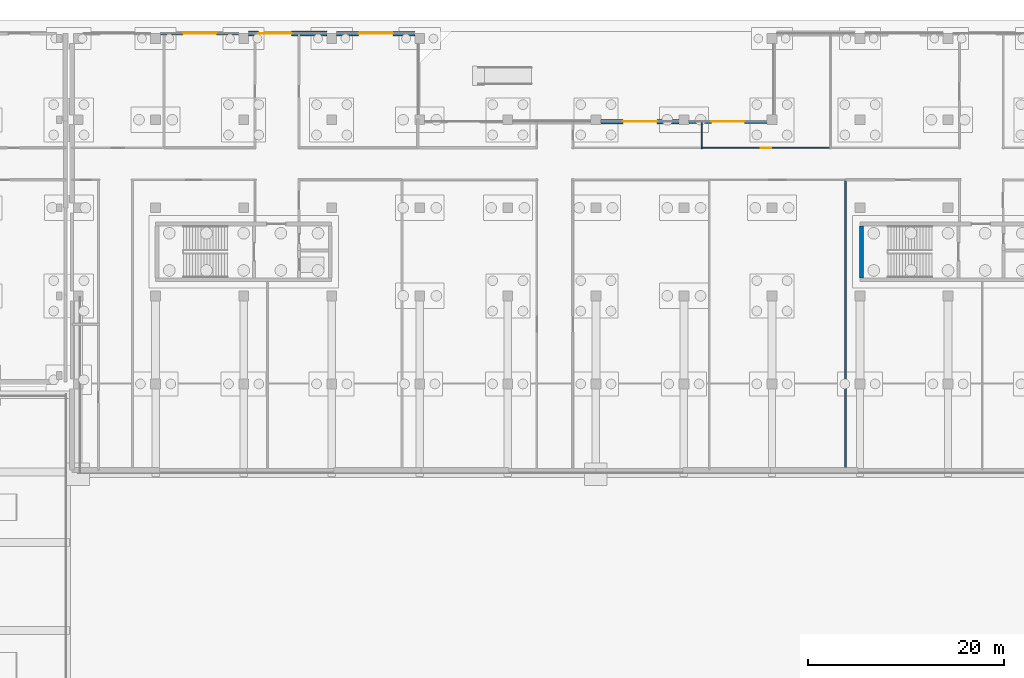
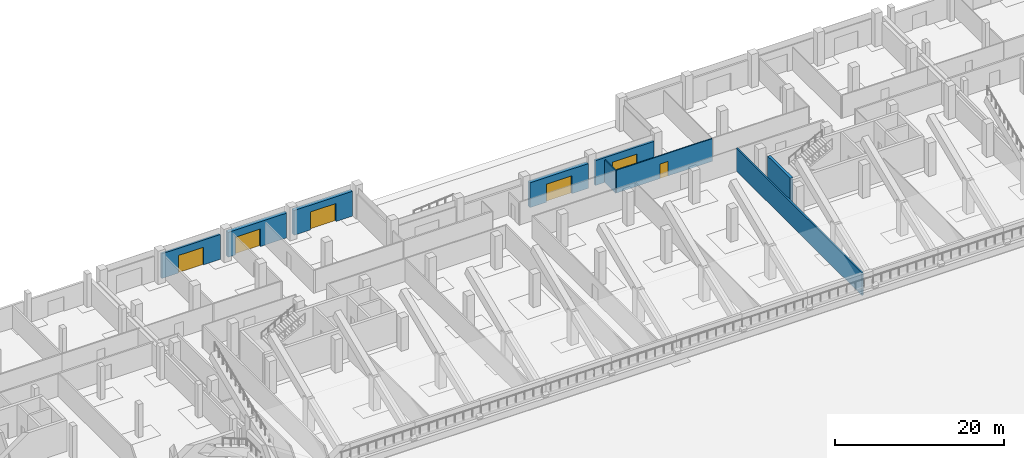
# One storey, part 36 of 53: 9 walls, 6 doors, 6 openings.
"""IFC4 building model written with IfcOpenShell, lengths in metres."""

from ifc_helpers import new_model, si_unit, direction, frame, frame_2d, origin, place, context, subcontext, project, spatial, rectangle, extrude, material, layer, layer_set, type_object, element, fill, save


model = new_model("IFC4")

# Units and contexts
model_context = context("Model", 3, precision=1e-05, world=origin(), true_north=direction((0.0, 1.0)))
body_context = subcontext(model_context, "Body", "Model", "MODEL_VIEW")
ifc_project = project(units=[si_unit("LENGTHUNIT", "METRE"), si_unit("AREAUNIT", "SQUARE_METRE"), si_unit("VOLUMEUNIT", "CUBIC_METRE"), si_unit("PLANEANGLEUNIT", "RADIAN"), si_unit("MASSUNIT", "GRAM", prefix="KILO"), si_unit("THERMODYNAMICTEMPERATUREUNIT", "KELVIN"), si_unit("POWERUNIT", "WATT")], contexts=[model_context])

# Site, building, storey
site_placement = place(None, origin())
site = spatial("IfcSite", under=ifc_project, at=site_placement, CompositionType="ELEMENT")
building_placement = place(site_placement, origin())
building = spatial("IfcBuilding", under=site, at=building_placement, Name="Sindhuravela Promenade Stadium", CompositionType="ELEMENT")
storey_placement = place(building_placement, origin())
storey = spatial("IfcBuildingStorey", under=building, at=storey_placement, Name="L00", CompositionType="ELEMENT", Elevation=0.0)

# Wall, opening, door
ifc_material_1 = material(Name="Dholpur sandstone ashlar (45 MPa)", Category="masonry")
ifc_layer_1 = layer(ifc_material_1, 0.2900390625)
ifc_layer_set_1 = layer_set([ifc_layer_1], Name="Dholpur sandstone ashlar (45 MPa)")
wall_type_1 = type_object("IfcWallType", Name="EX-WL-SND290", PredefinedType="SOLIDWALL", material=ifc_layer_set_1)
wall_1_placement = place(storey_placement, frame((63.5048828125, 161.800048828125, 0.0), z_axis=(0.0, 0.0, 1.0), x_axis=(1.0, 0.0, 0.0)))
wall_1 = element("IfcWall", 1, at=wall_1_placement, inside=storey, type_object=wall_type_1, Name="Exterior masonry wall EW10 NORTH L00", PredefinedType="SOLIDWALL", context=body_context, shape_type="SweptSolid", body=[
    extrude(rectangle(XDim=7.990234375, YDim=0.2900390625, at=frame_2d((3.9951171875, 0.0))), origin(), (0.0, 0.0, 1.0), 3.580078125),
])
opening_1_placement = place(wall_1_placement, frame((2.294921875, 0.0, 0.0)))
opening_1 = element("IfcOpeningElement", 2, at=opening_1_placement, cuts=wall_1, Name="Opening E19", PredefinedType="OPENING", context=body_context, shape_type="SweptSolid", body=[
    extrude(rectangle(XDim=3.39990234375, YDim=2.550048828125, at=frame_2d((1.699951171875, 1.27490234375))), frame((0.0, 0.155029296875, 0.0), z_axis=(0.0, -1.0, 0.0), x_axis=(1.0, 0.0, 0.0)), (0.0, 0.0, 1.0), 0.31005859375),
])
ifc_material_2 = material(Name="Anodised architectural aluminium 6063-T6", Category="aluminium")
door_type_1 = type_object("IfcDoorType", Name="DR-EXIT-3400x2550", OperationType="DOUBLE_DOOR_SINGLE_SWING", PredefinedType="DOOR", material=ifc_material_2)
door_1_placement = place(opening_1_placement, origin())
door_1 = element("IfcDoor", 3, at=door_1_placement, inside=storey, type_object=door_type_1, Name="Final exit door E19", OperationType="DOUBLE_DOOR_SINGLE_SWING", OverallHeight=2.550048828125, OverallWidth=3.39990234375, PredefinedType="DOOR", context=body_context, shape_type="SweptSolid", body=[
    extrude(rectangle(XDim=3.39990234375, YDim=2.550048828125, at=frame_2d((1.699951171875, 1.27490234375))), frame((0.0, 0.02490234375, 0.0), z_axis=(0.0, -1.0, 0.0), x_axis=(1.0, 0.0, 0.0)), (0.0, 0.0, 1.0), 0.050048828125),
])
fill(opening_1, door_1)

ifc_layer_2 = layer(ifc_material_1, 0.31005859375)
ifc_layer_set_2 = layer_set([ifc_layer_2], Name="Dholpur sandstone ashlar (45 MPa)")
wall_type_2 = type_object("IfcWallType", Name="EX-WL-SND310", PredefinedType="SOLIDWALL", material=ifc_layer_set_2)
wall_2_placement = place(storey_placement, frame((117.5048828125, 152.800048828125, 0.0), z_axis=(0.0, 0.0, 1.0), x_axis=(1.0, 0.0, 0.0)))
wall_2 = element("IfcWall", 4, at=wall_2_placement, inside=storey, type_object=wall_type_2, Name="Exterior masonry wall EW09 NORTH L00", PredefinedType="SOLIDWALL", context=body_context, shape_type="SweptSolid", body=[
    extrude(rectangle(XDim=7.990234375, YDim=0.31005859375, at=frame_2d((3.9951171875, 0.0))), origin(), (0.0, 0.0, 1.0), 3.580078125),
])
opening_2_placement = place(wall_2_placement, frame((2.294921875, 0.0, 0.0)))
opening_2 = element("IfcOpeningElement", 5, at=opening_2_placement, cuts=wall_2, Name="Opening E23", PredefinedType="OPENING", context=body_context, shape_type="SweptSolid", body=[
    extrude(rectangle(XDim=3.39990234375, YDim=2.550048828125, at=frame_2d((1.699951171875, 1.27490234375))), frame((0.0, 0.1650390625, 0.0), z_axis=(0.0, -1.0, 0.0), x_axis=(1.0, 0.0, 0.0)), (0.0, 0.0, 1.0), 0.330078125),
])
door_2_placement = place(opening_2_placement, origin())
door_2 = element("IfcDoor", 6, at=door_2_placement, inside=storey, type_object=door_type_1, Name="Final exit door E23", OperationType="DOUBLE_DOOR_SINGLE_SWING", OverallHeight=2.550048828125, OverallWidth=3.39990234375, PredefinedType="DOOR", context=body_context, shape_type="SweptSolid", body=[
    extrude(rectangle(XDim=3.39990234375, YDim=2.550048828125, at=frame_2d((1.699951171875, 1.27490234375))), frame((0.0, 0.02490234375, 0.0), z_axis=(0.0, -1.0, 0.0), x_axis=(1.0, 0.0, 0.0)), (0.0, 0.0, 1.0), 0.050048828125),
])
fill(opening_2, door_2)

ifc_layer_3 = layer(ifc_material_1, 0.47998046875)
ifc_layer_set_3 = layer_set([ifc_layer_3], Name="Dholpur sandstone ashlar (45 MPa)")
wall_type_3 = type_object("IfcWallType", Name="EX-WL-SND480", PredefinedType="SOLIDWALL", material=ifc_layer_set_3)
wall_3_placement = place(storey_placement, frame((81.5048828125, 161.800048828125, 0.0), z_axis=(0.0, 0.0, 1.0), x_axis=(1.0, 0.0, 0.0)))
wall_3 = element("IfcWall", 7, at=wall_3_placement, inside=storey, type_object=wall_type_3, Name="Exterior masonry wall EW08 NORTH L00", PredefinedType="SOLIDWALL", context=body_context, shape_type="SweptSolid", body=[
    extrude(rectangle(XDim=7.990234375, YDim=0.47998046875, at=frame_2d((3.9951171875, 0.0))), origin(), (0.0, 0.0, 1.0), 3.580078125),
])
opening_3_placement = place(wall_3_placement, frame((2.2451171875, 0.0, 0.0)))
opening_3 = element("IfcOpeningElement", 8, at=opening_3_placement, cuts=wall_3, Name="Opening E02", PredefinedType="OPENING", context=body_context, shape_type="SweptSolid", body=[
    extrude(rectangle(XDim=3.5, YDim=2.60009765625, at=frame_2d((1.75, 1.300048828125))), frame((0.0, 0.25, 0.0), z_axis=(0.0, -1.0, 0.0), x_axis=(1.0, 0.0, 0.0)), (0.0, 0.0, 1.0), 0.5),
])
door_type_2 = type_object("IfcDoorType", Name="DR-EXIT-3500x2600", OperationType="DOUBLE_DOOR_SINGLE_SWING", PredefinedType="DOOR", material=ifc_material_2)
door_3_placement = place(opening_3_placement, origin())
door_3 = element("IfcDoor", 9, at=door_3_placement, inside=storey, type_object=door_type_2, Name="Final exit door E02", OperationType="DOUBLE_DOOR_SINGLE_SWING", OverallHeight=2.60009765625, OverallWidth=3.5, PredefinedType="DOOR", context=body_context, shape_type="SweptSolid", body=[
    extrude(rectangle(XDim=3.5, YDim=2.60009765625, at=frame_2d((1.75, 1.300048828125))), frame((0.0, 0.02490234375, 0.0), z_axis=(0.0, -1.0, 0.0), x_axis=(1.0, 0.0, 0.0)), (0.0, 0.0, 1.0), 0.050048828125),
])
fill(opening_3, door_3)

wall_4_placement = place(storey_placement, frame((108.5048828125, 152.800048828125, 0.0), z_axis=(0.0, 0.0, 1.0), x_axis=(1.0, 0.0, 0.0)))
wall_4 = element("IfcWall", 10, at=wall_4_placement, inside=storey, type_object=wall_type_3, Name="Exterior masonry wall EW08 NORTH L00", PredefinedType="SOLIDWALL", context=body_context, shape_type="SweptSolid", body=[
    extrude(rectangle(XDim=7.990234375, YDim=0.47998046875, at=frame_2d((3.9951171875, 0.0))), origin(), (0.0, 0.0, 1.0), 3.580078125),
])
opening_4_placement = place(wall_4_placement, frame((2.2451171875, 0.0, 0.0)))
opening_4 = element("IfcOpeningElement", 11, at=opening_4_placement, cuts=wall_4, Name="Opening E22", PredefinedType="OPENING", context=body_context, shape_type="SweptSolid", body=[
    extrude(rectangle(XDim=3.5, YDim=2.60009765625, at=frame_2d((1.75, 1.300048828125))), frame((0.0, 0.25, 0.0), z_axis=(0.0, -1.0, 0.0), x_axis=(1.0, 0.0, 0.0)), (0.0, 0.0, 1.0), 0.5),
])
door_4_placement = place(opening_4_placement, origin())
door_4 = element("IfcDoor", 12, at=door_4_placement, inside=storey, type_object=door_type_2, Name="Final exit door E22", OperationType="DOUBLE_DOOR_SINGLE_SWING", OverallHeight=2.60009765625, OverallWidth=3.5, PredefinedType="DOOR", context=body_context, shape_type="SweptSolid", body=[
    extrude(rectangle(XDim=3.5, YDim=2.60009765625, at=frame_2d((1.75, 1.300048828125))), frame((0.0, 0.02490234375, 0.0), z_axis=(0.0, -1.0, 0.0), x_axis=(1.0, 0.0, 0.0)), (0.0, 0.0, 1.0), 0.050048828125),
])
fill(opening_4, door_4)

ifc_layer_4 = layer(ifc_material_1, 0.5)
ifc_layer_set_4 = layer_set([ifc_layer_4], Name="Dholpur sandstone ashlar (45 MPa)")
wall_type_4 = type_object("IfcWallType", Name="EX-WL-SND500", PredefinedType="SOLIDWALL", material=ifc_layer_set_4)
wall_5_placement = place(storey_placement, frame((72.5048828125, 161.800048828125, 0.0), z_axis=(0.0, 0.0, 1.0), x_axis=(1.0, 0.0, 0.0)))
wall_5 = element("IfcWall", 13, at=wall_5_placement, inside=storey, type_object=wall_type_4, Name="Exterior masonry wall EW07 NORTH L00", PredefinedType="SOLIDWALL", context=body_context, shape_type="SweptSolid", body=[
    extrude(rectangle(XDim=7.990234375, YDim=0.5, at=frame_2d((3.9951171875, 0.0))), origin(), (0.0, 0.0, 1.0), 3.580078125),
])
opening_5_placement = place(wall_5_placement, frame((0.985107421875, 0.0, 0.0)))
opening_5 = element("IfcOpeningElement", 14, at=opening_5_placement, cuts=wall_5, Name="Opening E03", PredefinedType="OPENING", context=body_context, shape_type="SweptSolid", body=[
    extrude(rectangle(XDim=3.39990234375, YDim=2.550048828125, at=frame_2d((1.699951171875, 1.27490234375))), frame((0.0, 0.260009765625, 0.0), z_axis=(0.0, -1.0, 0.0), x_axis=(1.0, 0.0, 0.0)), (0.0, 0.0, 1.0), 0.52001953125),
])
door_5_placement = place(opening_5_placement, origin())
door_5 = element("IfcDoor", 15, at=door_5_placement, inside=storey, type_object=door_type_1, Name="Final exit door E03", OperationType="DOUBLE_DOOR_SINGLE_SWING", OverallHeight=2.550048828125, OverallWidth=3.39990234375, PredefinedType="DOOR", context=body_context, shape_type="SweptSolid", body=[
    extrude(rectangle(XDim=3.39990234375, YDim=2.550048828125, at=frame_2d((1.699951171875, 1.27490234375))), frame((0.0, 0.02490234375, 0.0), z_axis=(0.0, -1.0, 0.0), x_axis=(1.0, 0.0, 0.0)), (0.0, 0.0, 1.0), 0.050048828125),
])
fill(opening_5, door_5)

# Wall
ifc_material_3 = material(Name="Fire-rated gypsum partition board", Category="gypsum")
ifc_layer_5 = layer(ifc_material_3, 0.1298828125)
ifc_layer_set_5 = layer_set([ifc_layer_5], Name="Fire-rated gypsum partition board")
wall_type_5 = type_object("IfcWallType", Name="IN-WL-PAR130", PredefinedType="PARTITIONING", material=ifc_layer_set_5)
wall_6_placement = place(storey_placement, frame((118.813232421875, 150.06005859375, 0.0), z_axis=(0.0, 0.0, 1.0), x_axis=(0.0, 1.0, 0.0)))
element("IfcWall", 16, at=wall_6_placement, inside=storey, type_object=wall_type_5, Name="Interior partition IW05 NORTH L00", PredefinedType="PARTITIONING", context=body_context, shape_type="SweptSolid", body=[
    extrude(rectangle(XDim=2.699951171875, YDim=0.1298828125, at=frame_2d((1.35009765625, 0.0))), origin(), (0.0, 0.0, 1.0), 3.280029296875),
])

# Wall, opening, door
ifc_layer_6 = layer(ifc_material_3, 0.14990234375)
ifc_layer_set_6 = layer_set([ifc_layer_6], Name="Fire-rated gypsum partition board")
wall_type_6 = type_object("IfcWallType", Name="IN-WL-PAR150", PredefinedType="PARTITIONING", material=ifc_layer_set_6)
wall_7_placement = place(storey_placement, frame((118.813232421875, 150.139892578125, 0.0), z_axis=(0.0, 0.0, 1.0), x_axis=(1.0, 0.0, 0.0)))
wall_7 = element("IfcWall", 17, at=wall_7_placement, inside=storey, type_object=wall_type_6, Name="Corridor partition IW04 Accessible WC North L00 7", PredefinedType="PARTITIONING", context=body_context, shape_type="SweptSolid", body=[
    extrude(rectangle(XDim=13.173583984375, YDim=0.14990234375, at=frame_2d((6.5869140625, 0.0))), origin(), (0.0, 0.0, 1.0), 3.280029296875),
])
opening_6_placement = place(wall_7_placement, frame((6.03662109375, 0.0, 0.0)))
opening_6 = element("IfcOpeningElement", 18, at=opening_6_placement, cuts=wall_7, Name="Opening ID06", PredefinedType="OPENING", context=body_context, shape_type="SweptSolid", body=[
    extrude(rectangle(XDim=1.10009765625, YDim=2.10009765625, at=frame_2d((0.550048828125, 1.050048828125))), frame((0.0, 0.0849609375, 0.0), z_axis=(0.0, -1.0, 0.0), x_axis=(1.0, 0.0, 0.0)), (0.0, 0.0, 1.0), 0.169921875),
])
ifc_material_4 = material(Name="Architectural teak timber leaf", Category="wood")
door_type_3 = type_object("IfcDoorType", Name="DR-INT-1100x2100", OperationType="NOTDEFINED", PredefinedType="DOOR", material=ifc_material_4)
door_6_placement = place(opening_6_placement, origin())
door_6 = element("IfcDoor", 19, at=door_6_placement, inside=storey, type_object=door_type_3, Name="Accessible WC North L00 7 door", OperationType="SINGLE_SWING_RIGHT", OverallHeight=2.10009765625, OverallWidth=1.10009765625, PredefinedType="DOOR", context=body_context, shape_type="SweptSolid", body=[
    extrude(rectangle(XDim=1.10009765625, YDim=2.10009765625, at=frame_2d((0.550048828125, 1.050048828125))), frame((0.0, 0.02490234375, 0.0), z_axis=(0.0, -1.0, 0.0), x_axis=(1.0, 0.0, 0.0)), (0.0, 0.0, 1.0), 0.050048828125),
])
fill(opening_6, door_6)

# Walls
ifc_layer_7 = layer(ifc_material_3, 0.219970703125)
ifc_layer_set_7 = layer_set([ifc_layer_7], Name="Fire-rated gypsum partition board")
wall_type_7 = type_object("IfcWallType", Name="IN-WL-PAR220", PredefinedType="PARTITIONING", material=ifc_layer_set_7)
wall_8_placement = place(storey_placement, frame((133.534912109375, 146.93994140625, 0.0), z_axis=(0.0, 0.0, 1.0), x_axis=(0.0, -1.0, 0.0)))
element("IfcWall", 20, at=wall_8_placement, inside=storey, type_object=wall_type_7, Name="Interior partition IW01 NORTH L00", PredefinedType="PARTITIONING", context=body_context, shape_type="SweptSolid", body=[
    extrude(rectangle(XDim=29.699951171875, YDim=0.219970703125, at=frame_2d((14.85009765625, 0.0))), origin(), (0.0, 0.0, 1.0), 3.280029296875),
])
ifc_material_5 = material(Name="Concrete M50", Category="concrete")
ifc_layer_8 = layer(ifc_material_5, 0.39990234375)
ifc_layer_set_8 = layer_set([ifc_layer_8], Name="Concrete M50")
wall_type_8 = type_object("IfcWallType", Name="RC-SW-400", PredefinedType="SHEAR", material=ifc_layer_set_8)
wall_9_placement = place(storey_placement, frame((135.14990234375, 142.14990234375, 0.0), z_axis=(0.0, 0.0, 1.0), x_axis=(0.0, -1.0, 0.0)))
element("IfcWall", 21, at=wall_9_placement, inside=storey, type_object=wall_type_8, Name="Core shear wall C10-W (L00)", PredefinedType="SHEAR", context=body_context, shape_type="SweptSolid", body=[
    extrude(rectangle(XDim=5.2998046875, YDim=0.39990234375, at=frame_2d((2.64990234375, 0.0))), origin(), (0.0, 0.0, 1.0), 4.5),
])

save(model, "model.ifc")
